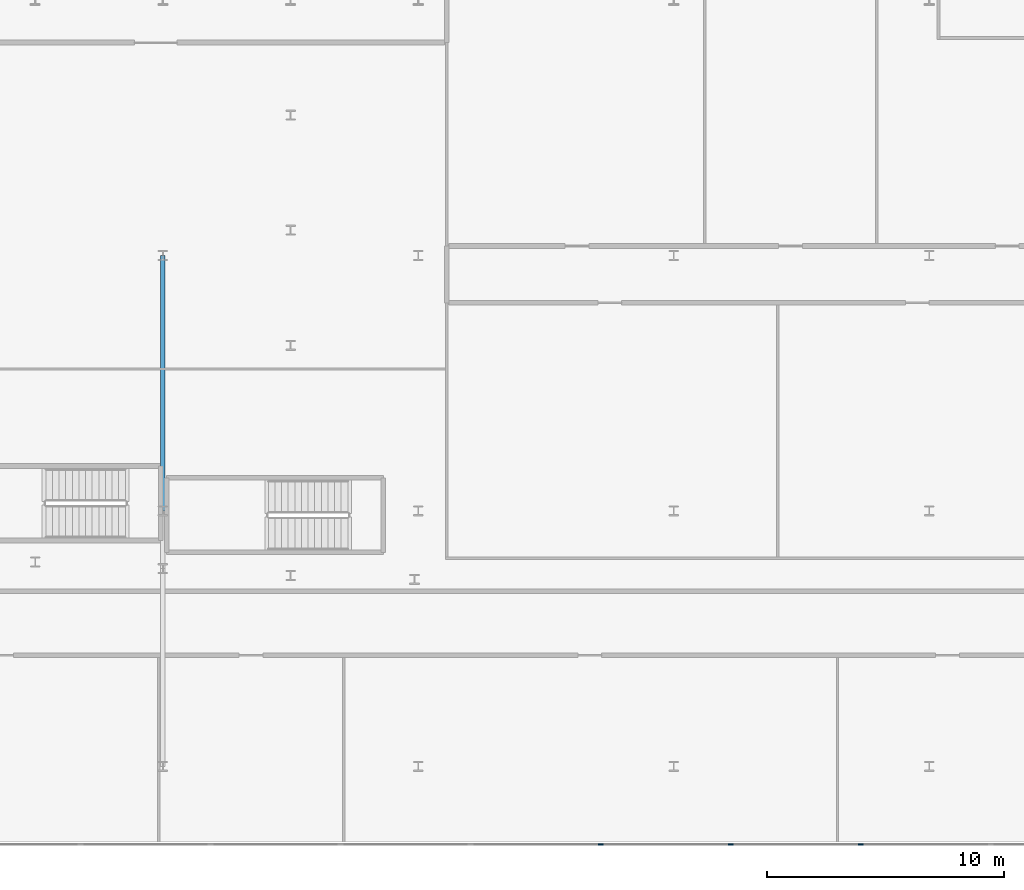
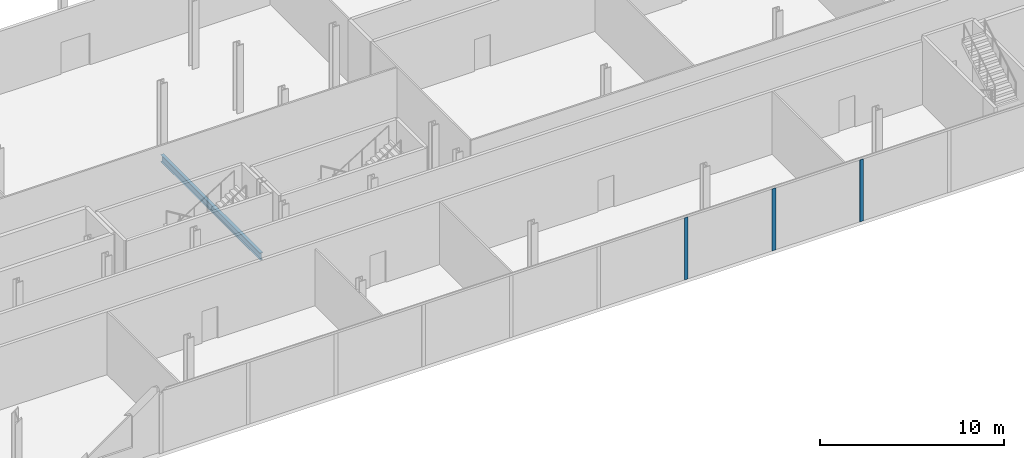
# One storey, part 12 of 47: 3 members, 1 beam, 1 element without a shape of its own.
"""IFC4 building model written with IfcOpenShell, lengths in metres."""

import ifcopenshell
import ifcopenshell.guid

model = None  # the IFC model being written
_history = None  # IfcOwnerHistory: only IFC2X3 demands one
_inside = {}  # id of a spatial element -> (the spatial element, [elements in it])
_under = {}  # id of a project, library or spatial element -> (it, [spatial elements below it])
_declared = {}  # id of a project -> (the project, [libraries it declares])
_typed = {}  # id of a type object -> (the type object, [elements of that type])
_made_of = {}  # id of a material, layer set ... -> (it, [elements and type objects made of it])


def new_model(schema):
    """Start an empty IFC model of exactly this schema.

    Asked for "IFC4X3", IfcOpenShell would pick the latest addendum, in which some entities
    have other attributes; the version numbers below select the first issue.
    IFC2X3 requires an IfcOwnerHistory on every rooted entity: one is made here for all.
    """
    global model, _history
    if schema == "IFC4X3":
        model = ifcopenshell.file(schema_version=(4, 3, 0, 0))
    else:
        model = ifcopenshell.file(schema=schema)
    _inside.clear()
    _under.clear()
    _declared.clear()
    _typed.clear()
    _made_of.clear()
    _history = None
    if model.schema == "IFC2X3":
        org = make("IfcOrganization", Name="unknown")
        user = make(
            "IfcPersonAndOrganization",
            ThePerson=make("IfcPerson", FamilyName="unknown"),
            TheOrganization=org,
        )
        app = make(
            "IfcApplication",
            ApplicationDeveloper=org,
            Version="unknown",
            ApplicationFullName="unknown",
            ApplicationIdentifier="unknown",
        )
        _history = make(
            "IfcOwnerHistory",
            OwningUser=user,
            OwningApplication=app,
            ChangeAction="ADDED",
            CreationDate=0,
        )
    return model


def make(cls, **values):
    """One entity of the class cls with the attributes given. An attribute that is None is left unset."""
    return model.create_entity(
        cls, **{name: value for name, value in values.items() if value is not None}
    )


def rooted(cls, **values):
    """An entity with a GlobalId (a new one), such as an element, a storey or a relation."""
    return make(cls, GlobalId=ifcopenshell.guid.new(), OwnerHistory=_history, **values)


def si_unit(unit_type, name, prefix=None):
    """IfcSIUnit, for example si_unit("LENGTHUNIT", "METRE", prefix="MILLI")."""
    return make("IfcSIUnit", UnitType=unit_type, Prefix=prefix, Name=name)


def assignment(units):
    """IfcUnitAssignment: the units of a project."""
    return None if units is None else make("IfcUnitAssignment", Units=units)


def point(xyz):
    """IfcCartesianPoint."""
    return None if xyz is None else make("IfcCartesianPoint", Coordinates=xyz)


def direction(xyz):
    """IfcDirection."""
    return None if xyz is None else make("IfcDirection", DirectionRatios=xyz)


def frame(location, z_axis=None, x_axis=None):
    """IfcAxis2Placement3D, a coordinate frame: its origin and axes. An axis left out is left unset."""
    return make(
        "IfcAxis2Placement3D",
        Location=point(location),
        Axis=direction(z_axis),
        RefDirection=direction(x_axis),
    )


def frame_2d(location, x_axis=None):
    """IfcAxis2Placement2D, a coordinate frame in the plane: its origin and x axis."""
    return make(
        "IfcAxis2Placement2D", Location=point(location), RefDirection=direction(x_axis)
    )


def origin():
    """The frame at (0, 0, 0) with its axes left unset."""
    return frame((0.0, 0.0, 0.0))


def origin_2d():
    """The frame at (0, 0) in the plane with its x axis left unset."""
    return frame_2d((0.0, 0.0))


def place(relative_to, where):
    """IfcLocalPlacement: puts the frame where relative to a parent placement (None: the world)."""
    return make(
        "IfcLocalPlacement", PlacementRelTo=relative_to, RelativePlacement=where
    )


def context(
    kind, dimensions, precision=None, world=None, true_north=None, identifier=None
):
    """IfcGeometricRepresentationContext, for example the 3D "Model" context."""
    return make(
        "IfcGeometricRepresentationContext",
        ContextIdentifier=identifier,
        ContextType=kind,
        CoordinateSpaceDimension=dimensions,
        Precision=precision,
        WorldCoordinateSystem=world,
        TrueNorth=true_north,
    )


def subcontext(parent, identifier, kind, view, scale=None):
    """IfcGeometricRepresentationSubContext, for example "Body" below "Model"."""
    return make(
        "IfcGeometricRepresentationSubContext",
        ContextIdentifier=identifier,
        ContextType=kind,
        ParentContext=parent,
        TargetScale=scale,
        TargetView=view,
    )


def project(units=None, contexts=None):
    """IfcProject with its units and contexts."""
    return rooted(
        "IfcProject",
        Name="project",
        RepresentationContexts=contexts,
        UnitsInContext=assignment(units),
    )


def spatial(cls, under=None, at=None, **own):
    """A site, building, storey or space (cls), placed at a placement, below another one or the project."""
    s = rooted(cls, ObjectPlacement=at, **own)
    if under is not None:
        _under.setdefault(under.id(), (under, []))[1].append(s)
    return s


def profile(cls, at=None, kind="AREA", **sizes):
    """A parametric profile (cls). Its sizes go by their IFC names, for example OverallWidth=200.0."""
    return make(cls, ProfileType=kind, Position=at, **sizes)


def rectangle(**sizes):
    """IfcRectangleProfileDef."""
    return profile("IfcRectangleProfileDef", **sizes)


def i_section(**sizes):
    """IfcIShapeProfileDef."""
    return profile("IfcIShapeProfileDef", **sizes)


def extrude(swept, where, along, depth):
    """IfcExtrudedAreaSolid: the profile swept, set in the frame where, extruded along a direction by depth."""
    return make(
        "IfcExtrudedAreaSolid",
        SweptArea=swept,
        Position=where,
        ExtrudedDirection=direction(along),
        Depth=depth,
    )


def shape(context_of_items, identifier, shape_type, items):
    """IfcShapeRepresentation: the items that make up one representation, for example the "Body"."""
    return make(
        "IfcShapeRepresentation",
        ContextOfItems=context_of_items,
        RepresentationIdentifier=identifier,
        RepresentationType=shape_type,
        Items=items,
    )


def material(Name=None, Category=None):
    """IfcMaterial."""
    return make("IfcMaterial", Name=Name, Category=Category)


def layer(
    of_material, thickness, ventilated=None, Name=None, Category=None, Priority=None
):
    """IfcMaterialLayer: one layer of a wall or slab, of a material (None: an air gap)."""
    return make(
        "IfcMaterialLayer",
        Material=of_material,
        LayerThickness=thickness,
        IsVentilated=ventilated,
        Name=Name,
        Category=Category,
        Priority=Priority,
    )


def layer_set(layers, Name=None):
    """IfcMaterialLayerSet."""
    return make("IfcMaterialLayerSet", MaterialLayers=layers, LayerSetName=Name)


def material_profile(
    of_material, cross_section, Name=None, Category=None, Priority=None
):
    """IfcMaterialProfile: a cross section and its material."""
    return make(
        "IfcMaterialProfile",
        Name=Name,
        Material=of_material,
        Profile=cross_section,
        Priority=Priority,
        Category=Category,
    )


def profile_set(profiles, Name=None, composite=None):
    """IfcMaterialProfileSet."""
    return make(
        "IfcMaterialProfileSet",
        Name=Name,
        MaterialProfiles=profiles,
        CompositeProfile=composite,
    )


def made_of(thing, what):
    """Note that an element or type object is made of a material, layer set ...; save() writes the relation."""
    if what is not None:
        _made_of.setdefault(what.id(), (what, []))[1].append(thing)
    return thing


def type_object(cls, material=None, **own):
    """A type object (cls), such as IfcWallType, which elements share."""
    return made_of(rooted(cls, **own), material)


def element(
    cls,
    number,
    at=None,
    inside=None,
    cuts=None,
    type_object=None,
    material=None,
    context=None,
    identifier="Body",
    shape_type=None,
    held_by="IfcProductDefinitionShape",
    body=None,
    shapes=None,
    **own,
):
    """One element of the class cls, such as IfcWall. Its Tag is "e" and its number.

    at: its placement. inside: the storey or other place that contains it. cuts: it is an
    opening in that element (IfcRelVoidsElement). A single representation is given by context,
    identifier, shape_type and body (its items); several are given by shapes. held_by: the class
    of the entity that holds the representations. save() writes the other relations.
    """
    e = rooted(cls, Tag="e%d" % number, ObjectPlacement=at, **own)
    if body is not None:
        shapes = [shape(context, identifier, shape_type, body)]
    if shapes is not None:
        e.Representation = make(held_by, Representations=shapes)
    if inside is not None:
        _inside.setdefault(inside.id(), (inside, []))[1].append(e)
    if cuts is not None:
        rooted(
            "IfcRelVoidsElement", RelatingBuildingElement=cuts, RelatedOpeningElement=e
        )
    if type_object is not None:
        _typed.setdefault(type_object.id(), (type_object, []))[1].append(e)
    return made_of(e, material)


def aggregate(whole, parts):
    """IfcRelAggregates: a whole, such as a stair, and the parts it consists of."""
    return rooted("IfcRelAggregates", RelatingObject=whole, RelatedObjects=parts)


def save(model, path):
    """Write the relations noted so far, then the file.

    IfcRelAggregates (storeys below a building ...), IfcRelContainedInSpatialStructure (elements
    in a storey), IfcRelDefinesByType, IfcRelAssociatesMaterial and IfcRelDeclares: one each for
    every whole, place, type object, material and project.
    """
    for whole, parts in _under.values():
        aggregate(whole, parts)
    for where, things in _inside.values():
        rooted(
            "IfcRelContainedInSpatialStructure",
            RelatedElements=things,
            RelatingStructure=where,
        )
    for kind, things in _typed.values():
        rooted("IfcRelDefinesByType", RelatedObjects=things, RelatingType=kind)
    for what, things in _made_of.values():
        rooted("IfcRelAssociatesMaterial", RelatedObjects=things, RelatingMaterial=what)
    for by, libraries in _declared.values():
        rooted("IfcRelDeclares", RelatingContext=by, RelatedDefinitions=libraries)
    model.write(path)


model = new_model("IFC4")

# Units and contexts
model_context = context("Model", 3, precision=1e-05, world=origin(), true_north=direction((0.0, 1.0)))
body_context = subcontext(model_context, "Body", "Model", "MODEL_VIEW")
ifc_project = project(units=[si_unit("LENGTHUNIT", "METRE"), si_unit("AREAUNIT", "SQUARE_METRE"), si_unit("VOLUMEUNIT", "CUBIC_METRE"), si_unit("PLANEANGLEUNIT", "RADIAN"), si_unit("MASSUNIT", "GRAM", prefix="KILO")], contexts=[model_context])

# Site, building, storey
site_placement = place(None, origin())
site = spatial("IfcSite", under=ifc_project, at=site_placement, CompositionType="ELEMENT")
building_placement = place(site_placement, origin())
building = spatial("IfcBuilding", under=site, at=building_placement, Name="Kheshtan School and Residences Tower", CompositionType="ELEMENT")
storey_placement = place(building_placement, frame((0.0, 0.0, 12.5)))
storey = spatial("IfcBuildingStorey", under=building, at=storey_placement, Name="L02", CompositionType="ELEMENT", Elevation=12.5)

# Beam
ifc_material_1 = material(Name="Steel ASTM A992 Grade 50", Category="steel")
ifc_material_profile_1 = material_profile(ifc_material_1, i_section(OverallWidth=0.194091796875, OverallDepth=0.468994140625, WebThickness=0.0126953125, FlangeThickness=0.0205078125, FilletRadius=0.01416015625, at=origin_2d()), Name="W460x106")
ifc_profile_set_1 = profile_set([ifc_material_profile_1], Name="Steel ASTM A992 Grade 50")
beam_type = type_object("IfcBeamType", Name="Beam PB2 W460x106 ASTM A992 Grade 50", PredefinedType="BEAM", material=ifc_profile_set_1)
beam_placement = place(storey_placement, frame((80.0, 24.0, -0.554443359375), z_axis=(0.0, 1.0, 0.0), x_axis=(-1.0, 0.0, 0.0)))
element("IfcBeam", 1, at=beam_placement, inside=storey, type_object=beam_type, Name="Podium floor beam PB2", PredefinedType="BEAM", context=body_context, shape_type="SweptSolid", body=[
    extrude(i_section(OverallWidth=0.194091796875, OverallDepth=0.468994140625, WebThickness=0.0126953125, FlangeThickness=0.0205078125, FilletRadius=0.01416015625, at=origin_2d()), origin(), (0.0, 0.0, 1.0), 10.800048828125),
])

# Curtain wall, members
ifc_material_2 = material(Name="Clear low-e glass in thermally broken aluminium frame", Category="aluminium")
ifc_layer = layer(ifc_material_2, 0.22509765625)
ifc_layer_set = layer_set([ifc_layer], Name="Curtain wall CW-P")
curtain_wall_type = type_object("IfcCurtainWallType", Name="Curtain wall CW-P", PredefinedType="NOTDEFINED", material=ifc_layer_set)
curtain_wall_placement = place(storey_placement, origin())
curtain_wall = element("IfcCurtainWall", 2, at=curtain_wall_placement, inside=storey, type_object=curtain_wall_type, Name="Curtain wall CWP12a", PredefinedType="NOTDEFINED")
ifc_material_3 = material(Name="Thermally broken aluminium, dark bronze anodised", Category="aluminium")
ifc_material_profile_2 = material_profile(ifc_material_3, rectangle(XDim=0.06005859375, YDim=0.22509765625, at=origin_2d()), Name="CW-P mullion 60x225")
ifc_profile_set_2 = profile_set([ifc_material_profile_2], Name="Thermally broken aluminium, dark bronze anodised")
member_type = type_object("IfcMemberType", Name="CW-P mullion 60x225", PredefinedType="MULLION", material=ifc_profile_set_2)
member_1_placement = place(storey_placement, frame((109.50537109375, 9.89990234375, 0.0), z_axis=(0.0, 0.0, 1.0), x_axis=(0.0, -1.0, 0.0)))
member_1 = element("IfcMember", 3, at=member_1_placement, type_object=member_type, Name="CWP12a mullion 4", PredefinedType="MULLION", context=body_context, shape_type="SweptSolid", body=[
    extrude(rectangle(XDim=0.06005859375, YDim=0.22509765625, at=origin_2d()), origin(), (0.0, 0.0, 1.0), 4.110107421875),
])
member_2_placement = place(storey_placement, frame((104.00732421875, 9.89990234375, 0.0), z_axis=(0.0, 0.0, 1.0), x_axis=(0.0, -1.0, 0.0)))
member_2 = element("IfcMember", 4, at=member_2_placement, type_object=member_type, Name="CWP12a mullion 5", PredefinedType="MULLION", context=body_context, shape_type="SweptSolid", body=[
    extrude(rectangle(XDim=0.06005859375, YDim=0.22509765625, at=origin_2d()), origin(), (0.0, 0.0, 1.0), 4.110107421875),
])
member_3_placement = place(storey_placement, frame((98.509033203125, 9.89990234375, 0.0), z_axis=(0.0, 0.0, 1.0), x_axis=(0.0, -1.0, 0.0)))
member_3 = element("IfcMember", 5, at=member_3_placement, type_object=member_type, Name="CWP12a mullion 6", PredefinedType="MULLION", context=body_context, shape_type="SweptSolid", body=[
    extrude(rectangle(XDim=0.06005859375, YDim=0.22509765625, at=origin_2d()), origin(), (0.0, 0.0, 1.0), 4.110107421875),
])
aggregate(curtain_wall, [member_1, member_2, member_3])

save(model, "model.ifc")
